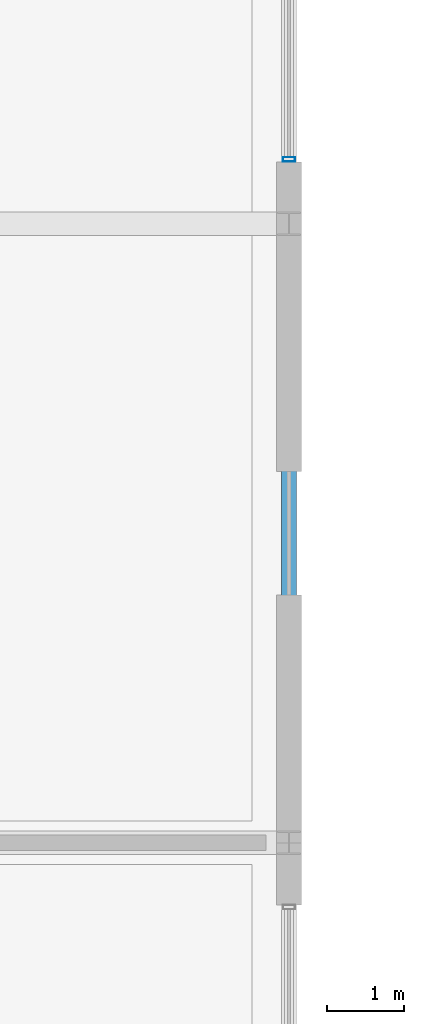
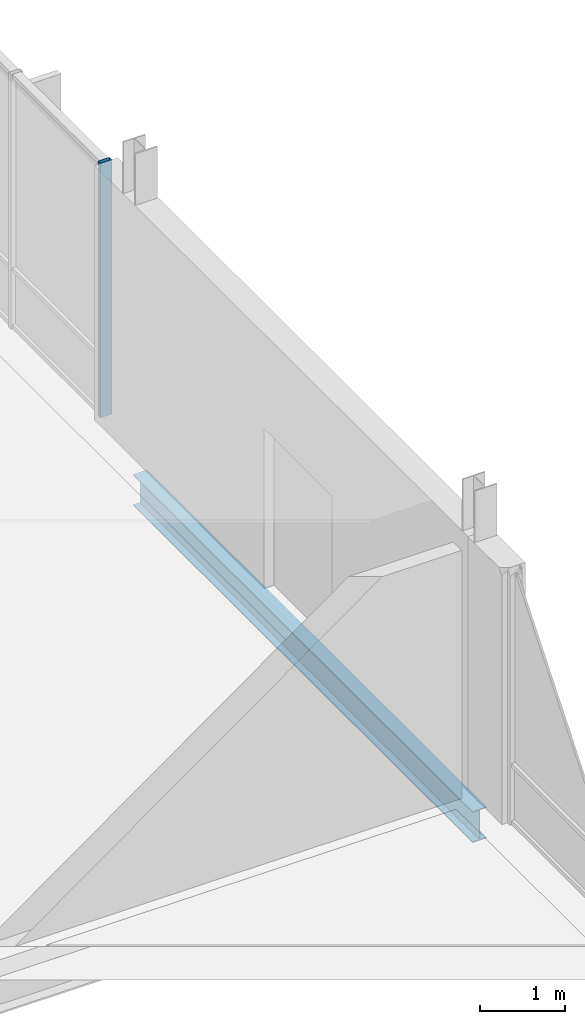
# One storey, part 159 of 233: 1 beam, 1 member, 1 element without a shape of its own.
"""IFC4 building model written with IfcOpenShell, lengths in metres."""

from ifc_helpers import new_model, si_unit, direction, frame, origin, origin_2d, place, context, subcontext, project, spatial, hollow_rectangle, i_section, extrude, material, material_profile, profile_set, type_object, element, aggregate, save


model = new_model("IFC4")

# Units and contexts
model_context = context("Model", 3, precision=1e-05, world=origin(), true_north=direction((0.0, 1.0)))
body_context = subcontext(model_context, "Body", "Model", "MODEL_VIEW")
ifc_project = project(units=[si_unit("LENGTHUNIT", "METRE"), si_unit("AREAUNIT", "SQUARE_METRE"), si_unit("VOLUMEUNIT", "CUBIC_METRE"), si_unit("PLANEANGLEUNIT", "RADIAN"), si_unit("MASSUNIT", "GRAM", prefix="KILO")], contexts=[model_context])

# Site, building, storey
site_placement = place(None, origin())
site = spatial("IfcSite", under=ifc_project, at=site_placement, CompositionType="ELEMENT")
building_placement = place(site_placement, origin())
building = spatial("IfcBuilding", under=site, at=building_placement, Name="Zavelmont Quarter", CompositionType="ELEMENT")
storey_placement = place(building_placement, origin())
storey = spatial("IfcBuildingStorey", under=building, at=storey_placement, Name="L00", CompositionType="ELEMENT", Elevation=0.0)

# Beam
ifc_material_1 = material(Name="Steel S355", Category="steel")
ifc_material_profile_1 = material_profile(ifc_material_1, i_section(OverallWidth=0.18994140625, OverallDepth=0.449951171875, WebThickness=0.009521484375, FlangeThickness=0.0146484375, at=origin_2d()), Name="IPE 450")
ifc_profile_set_1 = profile_set([ifc_material_profile_1], Name="Steel S355")
beam_type = type_object("IfcBeamType", Name="BM12", PredefinedType="BEAM", material=ifc_profile_set_1)
beam_placement = place(storey_placement, frame((168.0, 54.0, -0.544921875), z_axis=(0.0, 1.0, 0.0), x_axis=(-1.0, 0.0, 0.0)))
element("IfcBeam", 1, at=beam_placement, inside=storey, type_object=beam_type, Name="L00 beam BM12 25/J to 25/K", PredefinedType="BEAM", context=body_context, shape_type="SweptSolid", body=[
    extrude(i_section(OverallWidth=0.18994140625, OverallDepth=0.449951171875, WebThickness=0.009521484375, FlangeThickness=0.0146484375, at=origin_2d()), origin(), (0.0, 0.0, 1.0), 8.0),
])

# Curtain wall, member
ifc_material_2 = material(Name="Thermally broken aluminium and double low-E safety glazing", Category="aluminium")
curtain_wall_type = type_object("IfcCurtainWallType", Name="CW-640X366", PredefinedType="NOTDEFINED", material=ifc_material_2)
curtain_wall_placement = place(storey_placement, origin())
curtain_wall = element("IfcCurtainWall", 2, at=curtain_wall_placement, inside=storey, type_object=curtain_wall_type, Name="L00 unitised curtain wall CW-640X366", PredefinedType="NOTDEFINED")
ifc_material_3 = material(Name="Powder-coated aluminium EN AW-6063-T6", Category="aluminium")
ifc_material_profile_2 = material_profile(ifc_material_3, hollow_rectangle(XDim=0.06005859375, YDim=0.159912109375, WallThickness=0.00390625, at=origin_2d()), Name="CWM60X160")
ifc_profile_set_2 = profile_set([ifc_material_profile_2], Name="Powder-coated aluminium EN AW-6063-T6")
member_type = type_object("IfcMemberType", Name="CWM01", PredefinedType="MULLION", material=ifc_profile_set_2)
member_placement = place(storey_placement, frame((168.0, 62.830078125, 0.0), z_axis=(0.0, 0.0, 1.0), x_axis=(0.0, 1.0, 0.0)))
member = element("IfcMember", 3, at=member_placement, type_object=member_type, Name="CW-640X366 mullion 1", PredefinedType="MULLION", context=body_context, shape_type="SweptSolid", body=[
    extrude(hollow_rectangle(XDim=0.06005859375, YDim=0.159912109375, WallThickness=0.00390625, at=origin_2d()), origin(), (0.0, 0.0, 1.0), 3.659912109375),
])
aggregate(curtain_wall, [member])

save(model, "model.ifc")
